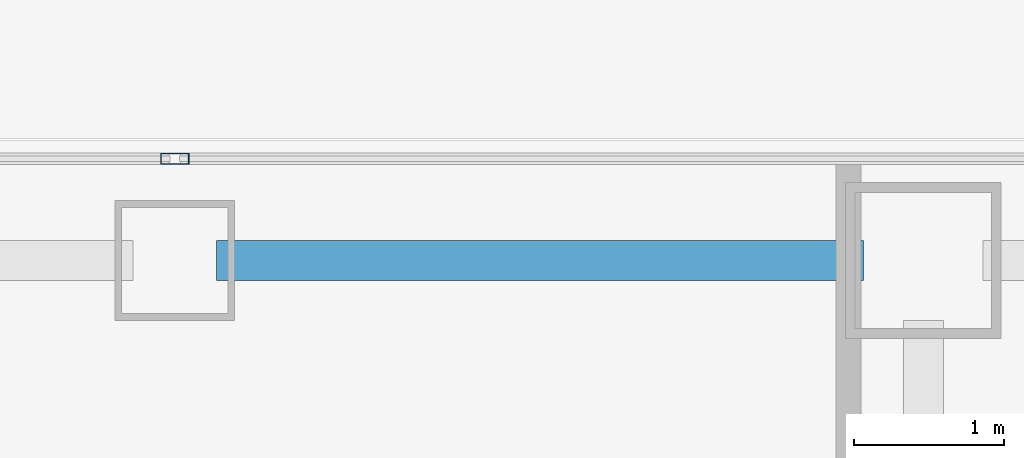
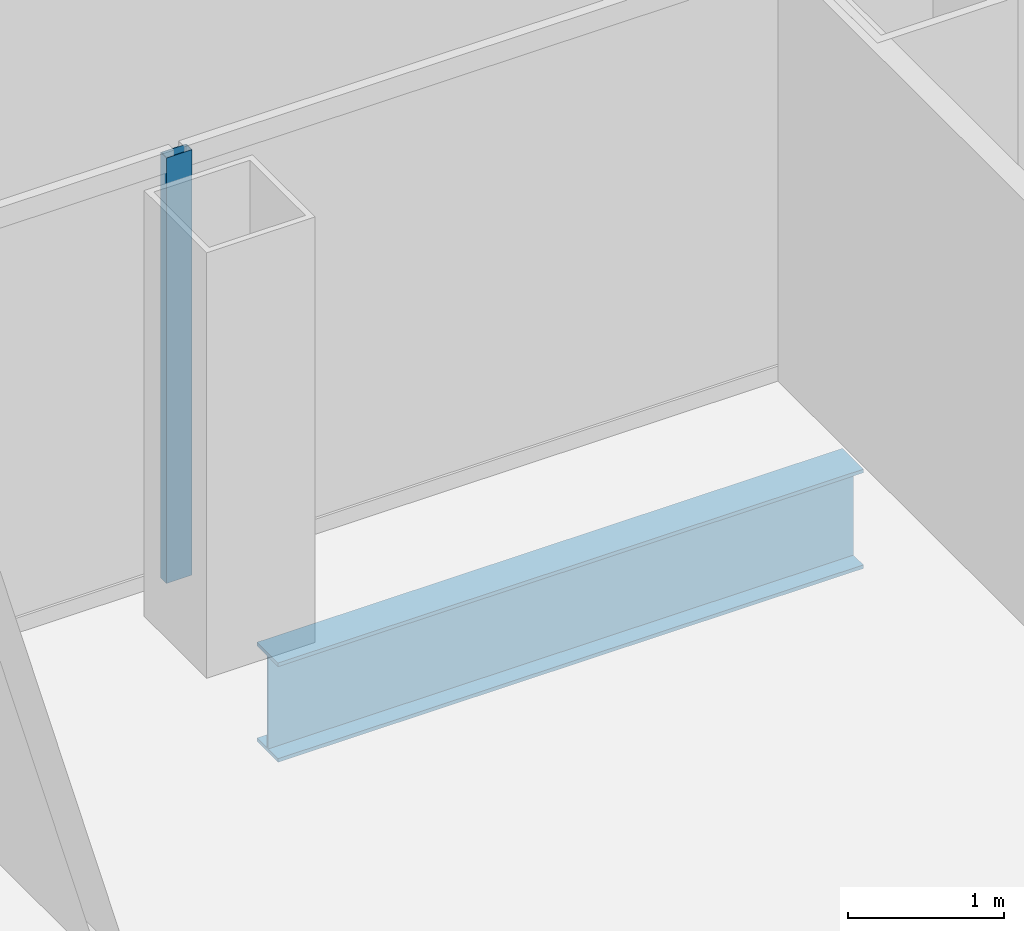
# One storey, part 13 of 22: 1 beam, 1 member, 1 element without a shape of its own.
"""IFC4 building model written with IfcOpenShell, lengths in metres."""

from ifc_helpers import new_model, si_unit, direction, frame, origin, origin_2d, place, context, subcontext, project, spatial, hollow_rectangle, i_section, extrude, source, transform, mapped, material, layer, layer_set, material_profile, profile_set, type_object, element, aggregate, save


model = new_model("IFC4")

# Units and contexts
model_context = context("Model", 3, precision=1e-05, world=origin(), true_north=direction((0.0, 1.0)))
body_context = subcontext(model_context, "Body", "Model", "MODEL_VIEW")
ifc_project = project(units=[si_unit("LENGTHUNIT", "METRE"), si_unit("AREAUNIT", "SQUARE_METRE"), si_unit("VOLUMEUNIT", "CUBIC_METRE"), si_unit("PLANEANGLEUNIT", "RADIAN"), si_unit("MASSUNIT", "GRAM", prefix="KILO")], contexts=[model_context])

# Site, building, storey
site_placement = place(None, origin())
site = spatial("IfcSite", under=ifc_project, at=site_placement, CompositionType="ELEMENT")
building_placement = place(site_placement, origin())
building = spatial("IfcBuilding", under=site, at=building_placement, Name="Kolveth Station Tower", CompositionType="ELEMENT")
storey_placement = place(building_placement, frame((0.0, 0.0, 51.300048828125)))
storey = spatial("IfcBuildingStorey", under=building, at=storey_placement, Name="L13", CompositionType="ELEMENT", Elevation=51.300048828125)

# Beam
ifc_material_1 = material(Name="Steel S355", Category="steel")
ifc_material_profile_1 = material_profile(ifc_material_1, i_section(OverallWidth=0.26904296875, OverallDepth=0.77490234375, WebThickness=0.01708984375, FlangeThickness=0.0283203125, at=origin_2d()), Name="W760x220")
ifc_profile_set_1 = profile_set([ifc_material_profile_1], Name="Steel S355")
beam_type = type_object("IfcBeamType", Name="Beam_SP1", PredefinedType="SPANDREL", material=ifc_profile_set_1)
shared_shape_1 = source(origin(), body_context, "Body", "SweptSolid", [
    extrude(i_section(OverallWidth=0.26904296875, OverallDepth=0.77490234375, WebThickness=0.01708984375, FlangeThickness=0.0283203125, at=origin_2d()), origin(), (0.0, 0.0, 1.0), 4.320068359375),
])
beam_placement = place(storey_placement, frame((23.780029296875, 39.699951171875, -0.66748046875), z_axis=(1.0, 0.0, 0.0), x_axis=(0.0, 1.0, 0.0)))
element("IfcBeam", 1, at=beam_placement, inside=storey, type_object=beam_type, Name="L13 Perimeter Spandrel BM-L13-PN-6", PredefinedType="SPANDREL", context=body_context, shape_type="MappedRepresentation", body=[
    mapped(shared_shape_1, transform((0.0, 0.0, 0.0), x_axis=(1.0, 0.0, 0.0), y_axis=(0.0, 1.0, 0.0), z_axis=(0.0, 0.0, 1.0), scale=1.0)),
])

# Curtain wall, member
ifc_material_2 = material(Name="Aluminium 6063-T6 and low-E dark glass", Category="aluminium")
ifc_layer = layer(ifc_material_2, 0.179931640625)
ifc_layer_set = layer_set([ifc_layer], Name="Aluminium 6063-T6 and low-E dark glass")
curtain_wall_type = type_object("IfcCurtainWallType", Name="CurtainWall_CW-Z1", PredefinedType="NOTDEFINED", material=ifc_layer_set)
curtain_wall_placement = place(storey_placement, origin())
curtain_wall = element("IfcCurtainWall", 2, at=curtain_wall_placement, inside=storey, type_object=curtain_wall_type, Name="L13 Inner Thermal Curtain Wall 6", PredefinedType="NOTDEFINED")
ifc_material_3 = material(Name="Black anodized aluminium 6063-T6", Category="aluminium")
ifc_material_profile_2 = material_profile(ifc_material_3, hollow_rectangle(XDim=0.074951171875, YDim=0.18994140625, WallThickness=0.0048828125, at=origin_2d()), Name="ALU-75x190x5")
ifc_profile_set_2 = profile_set([ifc_material_profile_2], Name="Black anodized aluminium 6063-T6")
member_type = type_object("IfcMemberType", Name="Mullion_ML1", PredefinedType="MULLION", material=ifc_profile_set_2)
shared_shape_2 = source(origin(), body_context, "Body", "SweptSolid", [
    extrude(hollow_rectangle(XDim=0.074951171875, YDim=0.18994140625, WallThickness=0.0048828125, at=origin_2d()), origin(), (0.0, 0.0, 1.0), 3.320068359375),
])
member_placement = place(storey_placement, frame((23.5, 40.3798828125, 0.0), z_axis=(0.0, 0.0, 1.0), x_axis=(0.0, -1.0, 0.0)))
member = element("IfcMember", 3, at=member_placement, type_object=member_type, Name="CW-Z1 mullion 2", PredefinedType="MULLION", context=body_context, shape_type="MappedRepresentation", body=[
    mapped(shared_shape_2, transform((0.0, 0.0, 0.0), x_axis=(1.0, 0.0, 0.0), y_axis=(0.0, 1.0, 0.0), z_axis=(0.0, 0.0, 1.0), scale=1.0)),
])
aggregate(curtain_wall, [member])

save(model, "model.ifc")
